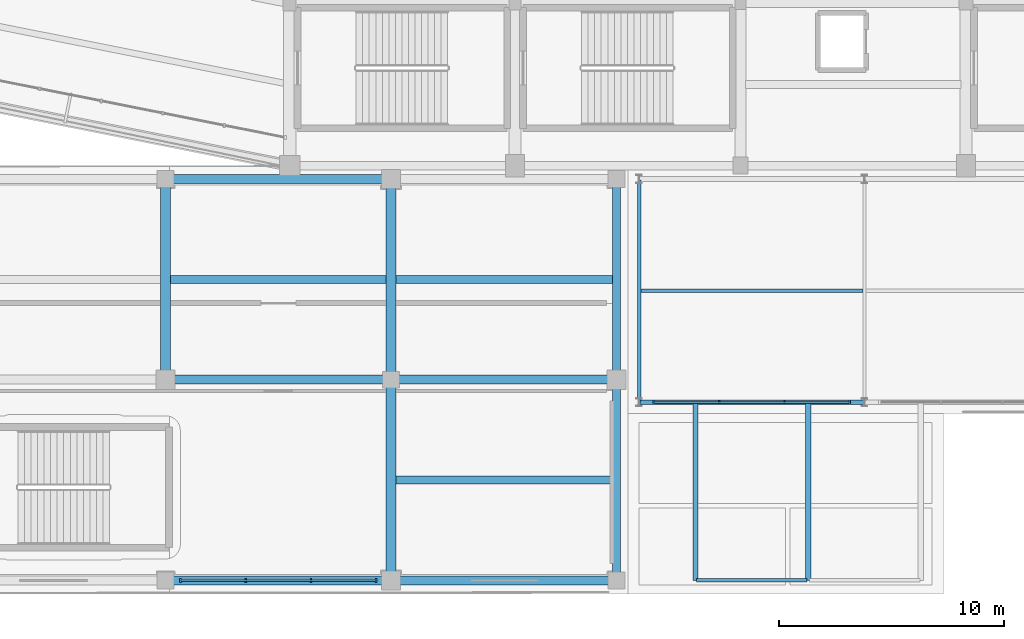
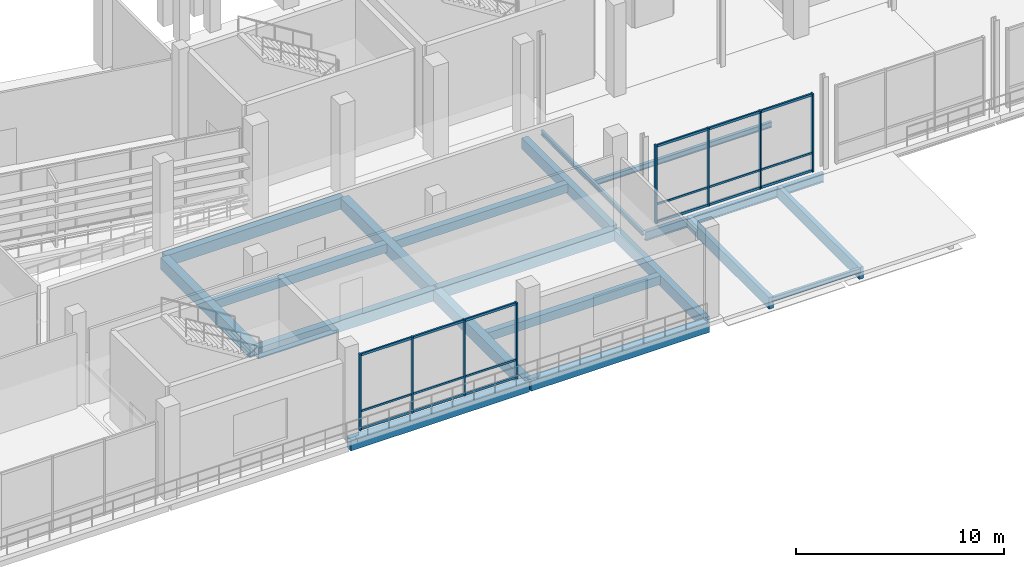
# One storey, part 21 of 114: 17 beams, 16 members, 2 elements without a shape of their own.
"""IFC4 building model written with IfcOpenShell, lengths in metres."""

from ifc_helpers import new_model, si_unit, direction, frame, origin, origin_2d, place, context, subcontext, project, spatial, rectangle, i_section, extrude, material, material_profile, profile_set, type_object, element, aggregate, save


model = new_model("IFC4")

# Units and contexts
model_context = context("Model", 3, precision=1e-05, world=origin(), true_north=direction((0.0, 1.0)))
body_context = subcontext(model_context, "Body", "Model", "MODEL_VIEW")
ifc_project = project(units=[si_unit("LENGTHUNIT", "METRE"), si_unit("AREAUNIT", "SQUARE_METRE"), si_unit("VOLUMEUNIT", "CUBIC_METRE"), si_unit("PLANEANGLEUNIT", "RADIAN"), si_unit("MASSUNIT", "GRAM", prefix="KILO")], contexts=[model_context])

# Site, building, storey
site_placement = place(None, origin())
site = spatial("IfcSite", under=ifc_project, at=site_placement, CompositionType="ELEMENT")
building_placement = place(site_placement, origin())
building = spatial("IfcBuilding", under=site, at=building_placement, Name="Candeia Ridge Stadium", CompositionType="ELEMENT")
storey_placement = place(building_placement, frame((0.0, 0.0, 5.39990234375)))
storey = spatial("IfcBuildingStorey", under=building, at=storey_placement, Name="L01", CompositionType="ELEMENT", Elevation=5.39990234375)

# Beams
ifc_material_1 = material(Name="Steel ASTM A572 Grade 50", Category="steel")
ifc_material_profile_1 = material_profile(ifc_material_1, i_section(OverallWidth=0.14794921875, OverallDepth=0.26611328125, WebThickness=0.007568359375, FlangeThickness=0.012939453125, FilletRadius=0.010986328125, at=origin_2d()), Name="W250x44.8", Category="steel")
ifc_profile_set_1 = profile_set([ifc_material_profile_1], Name="Steel ASTM A572 Grade 50")
beam_type_1 = type_object("IfcBeamType", Name="Canopy Edge Spandrel W250x44.8", PredefinedType="SPANDREL", material=ifc_profile_set_1)
beam_1_placement = place(storey_placement, frame((86.5, 8.550048828125, -0.392822265625), z_axis=(0.0, 1.0, 0.0), x_axis=(-1.0, 0.0, 0.0)))
element("IfcBeam", 1, at=beam_1_placement, inside=storey, type_object=beam_type_1, Name="Structural girder BM-L01-2018", PredefinedType="SPANDREL", context=body_context, shape_type="SweptSolid", body=[
    extrude(i_section(OverallWidth=0.14794921875, OverallDepth=0.26611328125, WebThickness=0.007568359375, FlangeThickness=0.012939453125, FilletRadius=0.010986328125, at=origin_2d()), origin(), (0.0, 0.0, 1.0), 9.800048828125),
])
beam_2_placement = place(storey_placement, frame((89.050048828125, 0.60009765625, -0.3330078125), z_axis=(1.0, 0.0, 0.0), x_axis=(0.0, 1.0, 0.0)))
element("IfcBeam", 2, at=beam_2_placement, inside=storey, type_object=beam_type_1, Name="Structural girder BM-L01-2553", PredefinedType="SPANDREL", context=body_context, shape_type="SweptSolid", body=[
    extrude(i_section(OverallWidth=0.14794921875, OverallDepth=0.26611328125, WebThickness=0.007568359375, FlangeThickness=0.012939453125, FilletRadius=0.010986328125, at=origin_2d()), origin(), (0.0, 0.0, 1.0), 4.89990234375),
])

# Curtain wall, members
ifc_material_2 = material(Name="Aluminium Anodized Warm Bronze", Category="aluminium")
curtain_wall_type_1 = type_object("IfcCurtainWallType", Name="Museum & Boulevard Showcase Curtain Wall", PredefinedType="NOTDEFINED", material=ifc_material_2)
curtain_wall_1_placement = place(storey_placement, origin())
curtain_wall_1 = element("IfcCurtainWall", 3, at=curtain_wall_1_placement, inside=storey, type_object=curtain_wall_type_1, Name="Unitised curtain wall CW-WNG-L01-113", PredefinedType="NOTDEFINED")
ifc_material_profile_2 = material_profile(ifc_material_2, rectangle(XDim=0.090087890625, YDim=0.179931640625, at=origin_2d()), Name="CWM-90x180", Category="aluminium")
ifc_profile_set_2 = profile_set([ifc_material_profile_2], Name="Aluminium Anodized Warm Bronze")
member_type_1 = type_object("IfcMemberType", Name="Curtain Wall Primary Mullion 90x180", PredefinedType="MULLION", material=ifc_profile_set_2)
member_1_placement = place(storey_placement, frame((66.159912109375, 0.60009765625, 0.0), z_axis=(0.0, 0.0, 1.0), x_axis=(1.0, 0.0, 0.0)))
member_1 = element("IfcMember", 4, at=member_1_placement, type_object=member_type_1, Name="Curtain wall mullion CW-WNG-L01-113-M0", PredefinedType="MULLION", context=body_context, shape_type="SweptSolid", body=[
    extrude(rectangle(XDim=0.090087890625, YDim=0.179931640625, at=origin_2d()), origin(), (0.0, 0.0, 1.0), 4.47509765625),
])
member_2_placement = place(storey_placement, frame((74.840087890625, 0.60009765625, 0.0), z_axis=(0.0, 0.0, 1.0), x_axis=(1.0, 0.0, 0.0)))
member_2 = element("IfcMember", 5, at=member_2_placement, type_object=member_type_1, Name="Curtain wall mullion CW-WNG-L01-113-M3", PredefinedType="MULLION", context=body_context, shape_type="SweptSolid", body=[
    extrude(rectangle(XDim=0.090087890625, YDim=0.179931640625, at=origin_2d()), origin(), (0.0, 0.0, 1.0), 4.47509765625),
])

curtain_wall_type_2 = type_object("IfcCurtainWallType", Name="Cardinal Entrance Gate Tall Glazed Curtain Wall", PredefinedType="NOTDEFINED", material=ifc_material_2)
curtain_wall_2_placement = place(storey_placement, origin())
curtain_wall_2 = element("IfcCurtainWall", 6, at=curtain_wall_2_placement, inside=storey, type_object=curtain_wall_type_2, Name="Unitised curtain wall CW-WNG-L01-117", PredefinedType="NOTDEFINED")
member_3_placement = place(storey_placement, frame((87.159912109375, 8.5, 0.0), z_axis=(0.0, 0.0, 1.0), x_axis=(1.0, 0.0, 0.0)))
member_3 = element("IfcMember", 7, at=member_3_placement, type_object=member_type_1, Name="Curtain wall mullion CW-WNG-L01-117-M0", PredefinedType="MULLION", context=body_context, shape_type="SweptSolid", body=[
    extrude(rectangle(XDim=0.090087890625, YDim=0.179931640625, at=origin_2d()), origin(), (0.0, 0.0, 1.0), 4.592041015625),
])
member_4_placement = place(storey_placement, frame((95.840087890625, 8.5, 0.0), z_axis=(0.0, 0.0, 1.0), x_axis=(1.0, 0.0, 0.0)))
member_4 = element("IfcMember", 8, at=member_4_placement, type_object=member_type_1, Name="Curtain wall mullion CW-WNG-L01-117-M3", PredefinedType="MULLION", context=body_context, shape_type="SweptSolid", body=[
    extrude(rectangle(XDim=0.090087890625, YDim=0.179931640625, at=origin_2d()), origin(), (0.0, 0.0, 1.0), 4.592041015625),
])

# Member
ifc_material_profile_3 = material_profile(ifc_material_2, rectangle(XDim=0.074951171875, YDim=0.14990234375, at=origin_2d()), Name="CWM-75x150", Category="aluminium")
ifc_profile_set_3 = profile_set([ifc_material_profile_3], Name="Aluminium Anodized Warm Bronze")
member_type_2 = type_object("IfcMemberType", Name="Curtain Wall Secondary Mullion 75x150", PredefinedType="MULLION", material=ifc_profile_set_3)
member_5_placement = place(storey_placement, frame((69.05322265625, 0.60009765625, 0.0), z_axis=(0.0, 0.0, 1.0), x_axis=(1.0, 0.0, 0.0)))
member_5 = element("IfcMember", 9, at=member_5_placement, type_object=member_type_2, Name="Curtain wall mullion CW-WNG-L01-113-M1", PredefinedType="MULLION", context=body_context, shape_type="SweptSolid", body=[
    extrude(rectangle(XDim=0.074951171875, YDim=0.14990234375, at=origin_2d()), origin(), (0.0, 0.0, 1.0), 4.47509765625),
])

member_6_placement = place(storey_placement, frame((71.94677734375, 0.60009765625, 0.0), z_axis=(0.0, 0.0, 1.0), x_axis=(1.0, 0.0, 0.0)))
member_6 = element("IfcMember", 10, at=member_6_placement, type_object=member_type_2, Name="Curtain wall mullion CW-WNG-L01-113-M2", PredefinedType="MULLION", context=body_context, shape_type="SweptSolid", body=[
    extrude(rectangle(XDim=0.074951171875, YDim=0.14990234375, at=origin_2d()), origin(), (0.0, 0.0, 1.0), 4.47509765625),
])

member_7_placement = place(storey_placement, frame((90.05322265625, 8.5, 0.0), z_axis=(0.0, 0.0, 1.0), x_axis=(1.0, 0.0, 0.0)))
member_7 = element("IfcMember", 11, at=member_7_placement, type_object=member_type_2, Name="Curtain wall mullion CW-WNG-L01-117-M1", PredefinedType="MULLION", context=body_context, shape_type="SweptSolid", body=[
    extrude(rectangle(XDim=0.074951171875, YDim=0.14990234375, at=origin_2d()), origin(), (0.0, 0.0, 1.0), 4.592041015625),
])

member_8_placement = place(storey_placement, frame((92.94677734375, 8.5, 0.0), z_axis=(0.0, 0.0, 1.0), x_axis=(1.0, 0.0, 0.0)))
member_8 = element("IfcMember", 12, at=member_8_placement, type_object=member_type_2, Name="Curtain wall mullion CW-WNG-L01-117-M2", PredefinedType="MULLION", context=body_context, shape_type="SweptSolid", body=[
    extrude(rectangle(XDim=0.074951171875, YDim=0.14990234375, at=origin_2d()), origin(), (0.0, 0.0, 1.0), 4.592041015625),
])

ifc_material_profile_4 = material_profile(ifc_material_2, rectangle(XDim=0.074951171875, YDim=0.110107421875, at=origin_2d()), Name="CWT-75x110", Category="aluminium")
ifc_profile_set_4 = profile_set([ifc_material_profile_4], Name="Aluminium Anodized Warm Bronze")
member_type_3 = type_object("IfcMemberType", Name="Curtain Wall Secondary Transom 75x110", PredefinedType="USERDEFINED", material=ifc_profile_set_4)
member_9_placement = place(storey_placement, frame((66.159912109375, 0.60009765625, 1.10009765625), z_axis=(1.0, 0.0, 0.0), x_axis=(0.0, 1.0, 0.0)))
member_9 = element("IfcMember", 13, at=member_9_placement, type_object=member_type_3, Name="Curtain wall transom CW-WNG-L01-113-T1", ObjectType="TRANSOM", PredefinedType="USERDEFINED", context=body_context, shape_type="SweptSolid", body=[
    extrude(rectangle(XDim=0.074951171875, YDim=0.110107421875, at=origin_2d()), origin(), (0.0, 0.0, 1.0), 8.68017578125),
])

member_10_placement = place(storey_placement, frame((87.159912109375, 8.5, 1.10009765625), z_axis=(1.0, 0.0, 0.0), x_axis=(0.0, 1.0, 0.0)))
member_10 = element("IfcMember", 14, at=member_10_placement, type_object=member_type_3, Name="Curtain wall transom CW-WNG-L01-117-T1", ObjectType="TRANSOM", PredefinedType="USERDEFINED", context=body_context, shape_type="SweptSolid", body=[
    extrude(rectangle(XDim=0.074951171875, YDim=0.110107421875, at=origin_2d()), origin(), (0.0, 0.0, 1.0), 8.68017578125),
])

ifc_material_profile_5 = material_profile(ifc_material_2, rectangle(XDim=0.090087890625, YDim=0.139892578125, at=origin_2d()), Name="CWT-90x140", Category="aluminium")
ifc_profile_set_5 = profile_set([ifc_material_profile_5], Name="Aluminium Anodized Warm Bronze")
member_type_4 = type_object("IfcMemberType", Name="Curtain Wall Transom 90x140", PredefinedType="USERDEFINED", material=ifc_profile_set_5)
member_11_placement = place(storey_placement, frame((66.159912109375, 0.60009765625, 0.070068359375), z_axis=(1.0, 0.0, 0.0), x_axis=(0.0, 1.0, 0.0)))
member_11 = element("IfcMember", 15, at=member_11_placement, type_object=member_type_4, Name="Curtain wall transom CW-WNG-L01-113-T0", ObjectType="TRANSOM", PredefinedType="USERDEFINED", context=body_context, shape_type="SweptSolid", body=[
    extrude(rectangle(XDim=0.090087890625, YDim=0.139892578125, at=origin_2d()), origin(), (0.0, 0.0, 1.0), 8.68017578125),
])

member_12_placement = place(storey_placement, frame((66.159912109375, 0.60009765625, 4.405029296875), z_axis=(1.0, 0.0, 0.0), x_axis=(0.0, 1.0, 0.0)))
member_12 = element("IfcMember", 16, at=member_12_placement, type_object=member_type_4, Name="Curtain wall transom CW-WNG-L01-113-T2", ObjectType="TRANSOM", PredefinedType="USERDEFINED", context=body_context, shape_type="SweptSolid", body=[
    extrude(rectangle(XDim=0.090087890625, YDim=0.139892578125, at=origin_2d()), origin(), (0.0, 0.0, 1.0), 8.68017578125),
])

aggregate(curtain_wall_1, [member_1, member_5, member_6, member_2, member_11, member_9, member_12])

member_13_placement = place(storey_placement, frame((87.159912109375, 8.5, 0.070068359375), z_axis=(1.0, 0.0, 0.0), x_axis=(0.0, 1.0, 0.0)))
member_13 = element("IfcMember", 17, at=member_13_placement, type_object=member_type_4, Name="Curtain wall transom CW-WNG-L01-117-T0", ObjectType="TRANSOM", PredefinedType="USERDEFINED", context=body_context, shape_type="SweptSolid", body=[
    extrude(rectangle(XDim=0.090087890625, YDim=0.139892578125, at=origin_2d()), origin(), (0.0, 0.0, 1.0), 8.68017578125),
])

member_14_placement = place(storey_placement, frame((87.159912109375, 8.5, 4.522216796875), z_axis=(1.0, 0.0, 0.0), x_axis=(0.0, 1.0, 0.0)))
member_14 = element("IfcMember", 18, at=member_14_placement, type_object=member_type_4, Name="Curtain wall transom CW-WNG-L01-117-T2", ObjectType="TRANSOM", PredefinedType="USERDEFINED", context=body_context, shape_type="SweptSolid", body=[
    extrude(rectangle(XDim=0.090087890625, YDim=0.139892578125, at=origin_2d()), origin(), (0.0, 0.0, 1.0), 8.68017578125),
])

aggregate(curtain_wall_2, [member_3, member_7, member_8, member_4, member_13, member_10, member_14])

# Beams
ifc_material_3 = material(Name="Concrete C40/50", Category="concrete")
ifc_material_profile_6 = material_profile(ifc_material_3, rectangle(XDim=0.35009765625, YDim=0.5, at=origin_2d()), Name="RC350x500", Category="concrete")
ifc_profile_set_6 = profile_set([ifc_material_profile_6], Name="Concrete C40/50")
beam_type_2 = type_object("IfcBeamType", Name="Floor Joist RC350x500", PredefinedType="JOIST", material=ifc_profile_set_6)
beam_3_placement = place(storey_placement, frame((65.724609375, 13.949951171875, -0.510009765625), z_axis=(1.0, 0.0, 0.0), x_axis=(0.0, 1.0, 0.0)))
element("IfcBeam", 19, at=beam_3_placement, inside=storey, type_object=beam_type_2, Name="Wing secondary joist BM-L01-1971", PredefinedType="JOIST", context=body_context, shape_type="SweptSolid", body=[
    extrude(rectangle(XDim=0.35009765625, YDim=0.5, at=origin_2d()), origin(), (0.0, 0.0, 1.0), 9.55078125),
])
for number, where, z_axis, x_axis, name in (
    (20, (75.724609375, 5.050048828125, -0.510009765625), (1.0, 0.0, 0.0), (0.0, 1.0, 0.0), "Wing secondary joist BM-L01-1974"),
    (21, (75.724609375, 13.949951171875, -0.510009765625), (1.0, 0.0, 0.0), (0.0, 1.0, 0.0), "Wing secondary joist BM-L01-1976"),
):
    element("IfcBeam", number, at=place(storey_placement, frame(where, z_axis=z_axis, x_axis=x_axis)), inside=storey, type_object=beam_type_2, Name=name, PredefinedType="JOIST", context=body_context, shape_type="SweptSolid", body=[
        extrude(rectangle(XDim=0.35009765625, YDim=0.5, at=origin_2d()), origin(), (0.0, 0.0, 1.0), 9.600830078125),
    ])
ifc_material_profile_7 = material_profile(ifc_material_3, rectangle(XDim=0.449951171875, YDim=0.699951171875, at=origin_2d()), Name="RC450x700", Category="concrete")
ifc_profile_set_7 = profile_set([ifc_material_profile_7], Name="Concrete C40/50")
beam_type_3 = type_object("IfcBeamType", Name="Frame Girder RC450x700", PredefinedType="BEAM", material=ifc_profile_set_7)
for number, where, z_axis, x_axis, name in (
    (22, (65.5, 9.659912109375, -0.60986328125), (0.0, 1.0, 0.0), (-1.0, 0.0, 0.0), "Structural girder BM-L01-1946"),
    (23, (75.5, 0.760009765625, -0.60986328125), (0.0, 1.0, 0.0), (-1.0, 0.0, 0.0), "Structural girder BM-L01-1947"),
    (24, (75.5, 9.659912109375, -0.60986328125), (0.0, 1.0, 0.0), (-1.0, 0.0, 0.0), "Structural girder BM-L01-1948"),
):
    element("IfcBeam", number, at=place(storey_placement, frame(where, z_axis=z_axis, x_axis=x_axis)), inside=storey, type_object=beam_type_3, Name=name, PredefinedType="BEAM", context=body_context, shape_type="SweptSolid", body=[
        extrude(rectangle(XDim=0.449951171875, YDim=0.699951171875, at=origin_2d()), origin(), (0.0, 0.0, 1.0), 8.580078125),
    ])
ifc_material_profile_8 = material_profile(ifc_material_1, i_section(OverallWidth=0.208984375, OverallDepth=0.532958984375, WebThickness=0.01025390625, FlangeThickness=0.015625, FilletRadius=0.013916015625, at=origin_2d()), Name="W530x92", Category="steel")
ifc_profile_set_8 = profile_set([ifc_material_profile_8], Name="Steel ASTM A572 Grade 50")
beam_type_4 = type_object("IfcBeamType", Name="Gate Portal Girder W530x92", PredefinedType="BEAM", material=ifc_profile_set_8)
beam_4_placement = place(storey_placement, frame((86.550048828125, 8.5, -0.5263671875), z_axis=(1.0, 0.0, 0.0), x_axis=(0.0, 1.0, 0.0)))
element("IfcBeam", 25, at=beam_4_placement, inside=storey, type_object=beam_type_4, Name="Structural girder BM-L01-2023", PredefinedType="BEAM", context=body_context, shape_type="SweptSolid", body=[
    extrude(i_section(OverallWidth=0.208984375, OverallDepth=0.532958984375, WebThickness=0.01025390625, FlangeThickness=0.015625, FilletRadius=0.013916015625, at=origin_2d()), origin(), (0.0, 0.0, 1.0), 9.89990234375),
])
ifc_material_profile_9 = material_profile(ifc_material_1, i_section(OverallWidth=0.1669921875, OverallDepth=0.31689453125, WebThickness=0.007568359375, FlangeThickness=0.01318359375, FilletRadius=0.011962890625, at=origin_2d()), Name="W310x52", Category="steel")
ifc_profile_set_9 = profile_set([ifc_material_profile_9], Name="Steel ASTM A572 Grade 50")
beam_type_5 = type_object("IfcBeamType", Name="Pavilion Secondary Joist W310x52", PredefinedType="JOIST", material=ifc_profile_set_9)
beam_5_placement = place(storey_placement, frame((86.573486328125, 13.449951171875, -0.41845703125), z_axis=(1.0, 0.0, 0.0), x_axis=(0.0, 1.0, 0.0)))
element("IfcBeam", 26, at=beam_5_placement, inside=storey, type_object=beam_type_5, Name="Wing secondary joist BM-L01-2024", PredefinedType="JOIST", context=body_context, shape_type="SweptSolid", body=[
    extrude(i_section(OverallWidth=0.1669921875, OverallDepth=0.31689453125, WebThickness=0.007568359375, FlangeThickness=0.01318359375, FilletRadius=0.011962890625, at=origin_2d()), origin(), (0.0, 0.0, 1.0), 9.85302734375),
])

# Members
ifc_material_4 = material(Name="Glulam GL28h", Category="wood")
ifc_material_profile_10 = material_profile(ifc_material_4, rectangle(XDim=0.239990234375, YDim=0.679931640625, at=origin_2d()), Name="GL240x680", Category="wood")
ifc_profile_set_10 = profile_set([ifc_material_profile_10], Name="Glulam GL28h")
member_type_5 = type_object("IfcMemberType", Name="Rain Passage Glulam Rafter GL240x680", PredefinedType="RAFTER", material=ifc_profile_set_10)
for number, where, z_axis, x_axis, name in (
    (27, (89.0, 0.60009765625, -0.539794921875), (0.0, 1.0, 0.0), (-1.0, 0.0, 0.0), "Douglas-fir glulam rain-passage rafter RAF-RP-01"),
    (28, (94.0, 0.60009765625, -0.539794921875), (0.0, 1.0, 0.0), (-1.0, 0.0, 0.0), "Douglas-fir glulam rain-passage rafter RAF-RP-02"),
):
    element("IfcMember", number, at=place(storey_placement, frame(where, z_axis=z_axis, x_axis=x_axis)), inside=storey, type_object=member_type_5, Name=name, PredefinedType="RAFTER", context=body_context, shape_type="SweptSolid", body=[
        extrude(rectangle(XDim=0.239990234375, YDim=0.679931640625, at=origin_2d()), origin(), (0.0, 0.0, 1.0), 7.89990234375),
    ])

# Beams
ifc_material_profile_11 = material_profile(ifc_material_3, rectangle(XDim=0.35009765625, YDim=0.64990234375, at=origin_2d()), Name="RC350x650", Category="concrete")
ifc_profile_set_11 = profile_set([ifc_material_profile_11], Name="Concrete C40/50")
beam_type_6 = type_object("IfcBeamType", Name="Spandrel Beam RC350x650", PredefinedType="SPANDREL", material=ifc_profile_set_11)
for number, where, z_axis, x_axis, name in (
    (29, (85.5, 0.760009765625, -0.5849609375), (0.0, 1.0, 0.0), (-1.0, 0.0, 0.0), "Structural girder BM-L01-1949"),
    (30, (85.5, 9.659912109375, -0.5849609375), (0.0, 1.0, 0.0), (-1.0, 0.0, 0.0), "Structural girder BM-L01-1950"),
):
    element("IfcBeam", number, at=place(storey_placement, frame(where, z_axis=z_axis, x_axis=x_axis)), inside=storey, type_object=beam_type_6, Name=name, PredefinedType="SPANDREL", context=body_context, shape_type="SweptSolid", body=[
        extrude(rectangle(XDim=0.35009765625, YDim=0.64990234375, at=origin_2d()), origin(), (0.0, 0.0, 1.0), 8.580078125),
    ])
ifc_material_profile_12 = material_profile(ifc_material_3, rectangle(XDim=0.39990234375, YDim=0.64990234375, at=origin_2d()), Name="RC400x650", Category="concrete")
ifc_profile_set_12 = profile_set([ifc_material_profile_12], Name="Concrete C40/50")
beam_type_7 = type_object("IfcBeamType", Name="Wing Primary Girder RC400x650", PredefinedType="BEAM", material=ifc_profile_set_12)
for number, where, z_axis, x_axis, name in (
    (31, (65.550048828125, 0.60009765625, -0.5849609375), (1.0, 0.0, 0.0), (0.0, 1.0, 0.0), "Structural girder BM-L01-1969"),
    (32, (65.550048828125, 9.5, -0.5849609375), (1.0, 0.0, 0.0), (0.0, 1.0, 0.0), "Structural girder BM-L01-1970"),
    (33, (65.550048828125, 18.39990234375, -0.5849609375), (1.0, 0.0, 0.0), (0.0, 1.0, 0.0), "Structural girder BM-L01-1972"),
    (34, (75.550048828125, 0.60009765625, -0.5849609375), (1.0, 0.0, 0.0), (0.0, 1.0, 0.0), "Structural girder BM-L01-1973"),
    (35, (75.550048828125, 9.5, -0.5849609375), (1.0, 0.0, 0.0), (0.0, 1.0, 0.0), "Structural girder BM-L01-1975"),
):
    element("IfcBeam", number, at=place(storey_placement, frame(where, z_axis=z_axis, x_axis=x_axis)), inside=storey, type_object=beam_type_7, Name=name, PredefinedType="BEAM", context=body_context, shape_type="SweptSolid", body=[
        extrude(rectangle(XDim=0.39990234375, YDim=0.64990234375, at=origin_2d()), origin(), (0.0, 0.0, 1.0), 9.89990234375),
    ])

save(model, "model.ifc")
